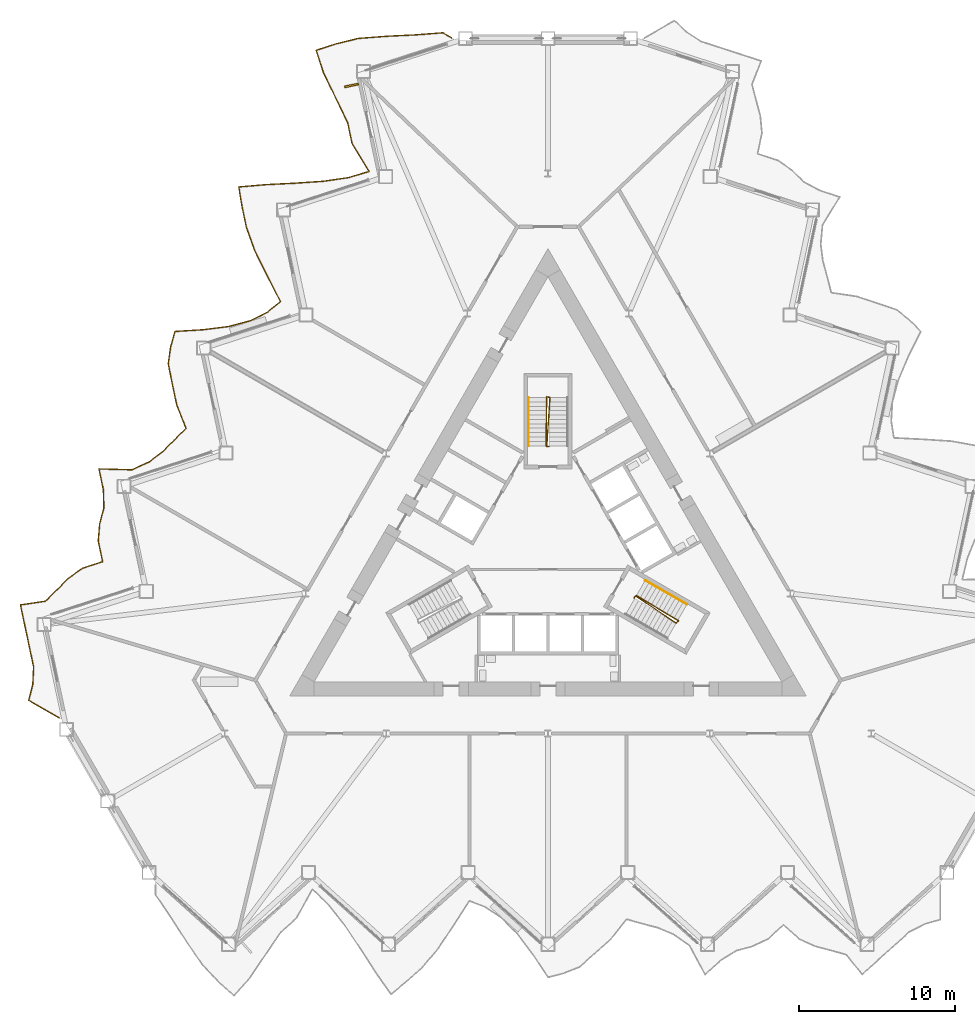
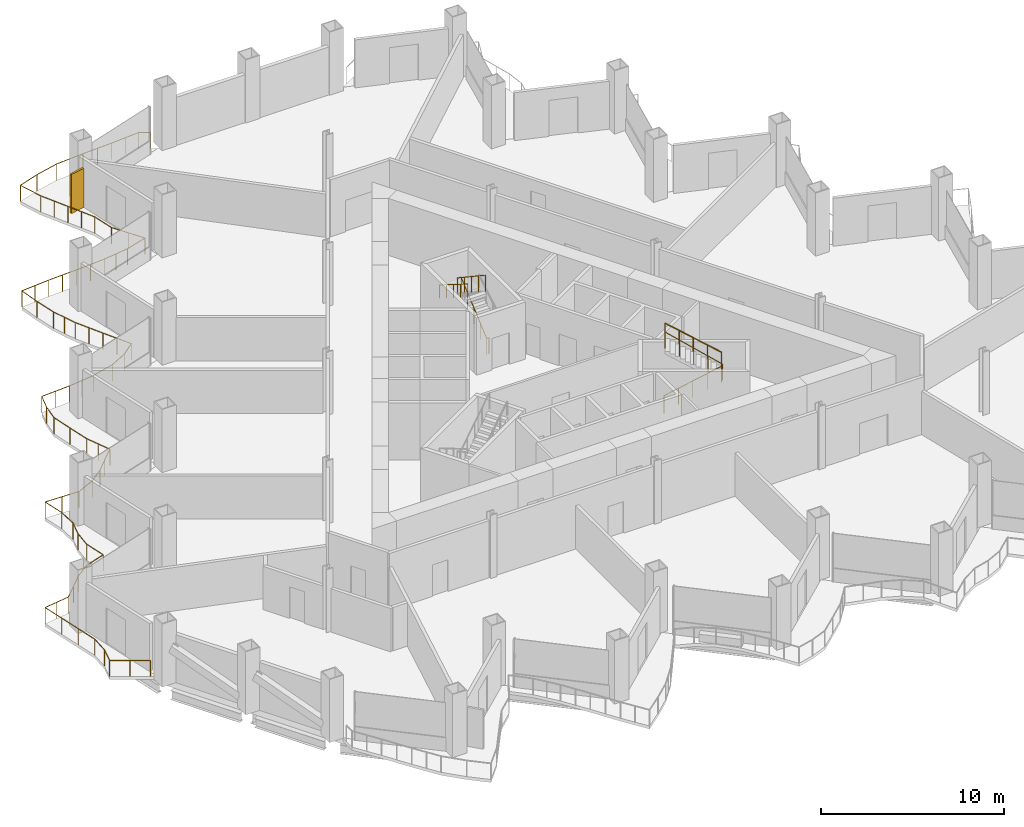
# One storey, part 18 of 21: 5 railings, 1 shading device.
"""IFC4 building model written with IfcOpenShell, lengths in metres."""

from ifc_helpers import new_model, si_unit, direction, frame, origin, origin_2d, place, context, subcontext, project, spatial, rectangle, circle, extrude, material, layer, layer_set, type_object, element, save


model = new_model("IFC4")

# Units and contexts
model_context = context("Model", 3, precision=1e-05, world=origin(), true_north=direction((0.0, 1.0)))
body_context = subcontext(model_context, "Body", "Model", "MODEL_VIEW")
ifc_project = project(units=[si_unit("LENGTHUNIT", "METRE"), si_unit("AREAUNIT", "SQUARE_METRE"), si_unit("VOLUMEUNIT", "CUBIC_METRE"), si_unit("PLANEANGLEUNIT", "RADIAN"), si_unit("MASSUNIT", "GRAM", prefix="KILO")], contexts=[model_context])

# Site, building, storey
site_placement = place(None, origin())
site = spatial("IfcSite", under=ifc_project, at=site_placement, CompositionType="ELEMENT")
building_placement = place(site_placement, origin())
building = spatial("IfcBuilding", under=site, at=building_placement, Name="Cormorant Prow Tower", CompositionType="ELEMENT")
storey_placement = place(building_placement, frame((0.0, 0.0, 112.199951171875)))
storey = spatial("IfcBuildingStorey", under=building, at=storey_placement, Name="L23", CompositionType="ELEMENT", Elevation=112.199951171875)

# Railings
ifc_material_1 = material(Name="Aluminium 6063-T6", Category="aluminium")
railing_type_1 = type_object("IfcRailingType", Name="Balcony guard 1100", PredefinedType="GUARDRAIL", material=ifc_material_1)
railing_1_placement = place(storey_placement, frame((-6.165771484375, 32.531494140625, 0.0)))
element("IfcRailing", 1, at=railing_1_placement, inside=storey, type_object=railing_type_1, Name="Balcony guard WNW", PredefinedType="GUARDRAIL", context=body_context, shape_type="SweptSolid", body=[
    extrude(circle(Radius=0.02392578125, at=origin_2d()), frame((0.0, 0.0, 1.076171875), z_axis=(-0.866038622153, 0.499977104415, 0.0), x_axis=(-0.499977104415, -0.866038622153, 0.0)), (0.0, 0.0, 1.0), 0.63623046875),
    extrude(circle(Radius=0.02392578125, at=origin_2d()), frame((-0.551025390625, 0.318115234375, 1.076171875), z_axis=(-0.997197009902, -0.074820608411, 0.0), x_axis=(0.074820608411, -0.997197009902, 0.0)), (0.0, 0.0, 1.0), 1.781494140625),
    extrude(circle(Radius=0.02392578125, at=origin_2d()), frame((-2.32763671875, 0.184814453125, 1.076171875), z_axis=(-0.998831498612, -0.048328432431, 0.0), x_axis=(0.048328432431, -0.998831498612, 0.0)), (0.0, 0.0, 1.0), 1.85400390625),
    extrude(circle(Radius=0.02392578125, at=origin_2d()), frame((-4.179443359375, 0.09521484375, 1.076171875), z_axis=(-0.99704396545, -0.076833137122, 0.0), x_axis=(0.076833137122, -0.99704396545, 0.0)), (0.0, 0.0, 1.0), 1.7763671875),
    extrude(circle(Radius=0.02392578125, at=origin_2d()), frame((-5.950439453125, -0.041259765625, 1.076171875), z_axis=(-0.971769655853, -0.235931634089, 0.0), x_axis=(0.235931634089, -0.971769655853, 0.0)), (0.0, 0.0, 1.0), 1.453857421875),
    extrude(circle(Radius=0.02392578125, at=origin_2d()), frame((-7.36328125, -0.38427734375, 1.076171875), z_axis=(-0.951024769283, -0.309114684561, 0.0), x_axis=(0.309114684561, -0.951024769283, 0.0)), (0.0, 0.0, 1.0), 1.3505859375),
    extrude(circle(Radius=0.02392578125, at=origin_2d()), frame((-8.647705078125, -0.8017578125, 1.076171875), z_axis=(0.3055170422, -0.952186608247, 0.0), x_axis=(0.952186608247, 0.3055170422, 0.0)), (0.0, 0.0, 1.0), 1.493408203125),
    extrude(circle(Radius=0.02392578125, at=origin_2d()), frame((-8.19140625, -2.223876953125, 1.076171875), z_axis=(0.437543121235, -0.899197429412, 0.0), x_axis=(0.899197429412, 0.437543121235, 0.0)), (0.0, 0.0, 1.0), 1.792236328125),
    extrude(circle(Radius=0.02392578125, at=origin_2d()), frame((-7.4072265625, -3.83544921875, 1.076171875), z_axis=(0.433168019328, -0.901313190312, 0.0), x_axis=(0.901313190312, 0.433168019328, 0.0)), (0.0, 0.0, 1.0), 1.77978515625),
    extrude(circle(Radius=0.02392578125, at=origin_2d()), frame((-6.63623046875, -5.439697265625, 1.076171875), z_axis=(0.208096604051, -0.978108277944, 0.0), x_axis=(0.978108277944, 0.208096604051, 0.0)), (0.0, 0.0, 1.0), 1.350341796875),
    extrude(circle(Radius=0.02392578125, at=origin_2d()), frame((-6.355224609375, -6.760498046875, 1.076171875), z_axis=(0.518892663885, -0.85483940209, 0.0), x_axis=(0.85483940209, 0.518892663885, 0.0)), (0.0, 0.0, 1.0), 2.087158203125),
    extrude(circle(Radius=0.02392578125, at=origin_2d()), frame((-5.272216796875, -8.544677734375, 1.076171875), z_axis=(-0.958431950317, -0.285321216546, 0.0), x_axis=(0.285321216546, -0.958431950317, 0.0)), (0.0, 0.0, 1.0), 1.3818359375),
    extrude(circle(Radius=0.02392578125, at=origin_2d()), frame((-6.5966796875, -8.93896484375, 1.076171875), z_axis=(-0.989725517262, -0.142980419921, 0.0), x_axis=(0.142980419921, -0.989725517262, 0.0)), (0.0, 0.0, 1.0), 1.6220703125),
    extrude(circle(Radius=0.02392578125, at=origin_2d()), frame((-8.2021484375, -9.1708984375, 1.076171875), z_axis=(-0.997739361196, -0.067202433888, 0.0), x_axis=(0.067202433888, -0.997739361196, 0.0)), (0.0, 0.0, 1.0), 1.802001953125),
    extrude(circle(Radius=0.02392578125, at=origin_2d()), frame((-10.0, -9.2919921875, 1.076171875), z_axis=(-0.998796334146, -0.049049800172, 0.0), x_axis=(0.049049800172, -0.998796334146, 0.0)), (0.0, 0.0, 1.0), 1.8515625),
    extrude(circle(Radius=0.02392578125, at=origin_2d()), frame((-11.849365234375, -9.3828125, 1.076171875), z_axis=(-0.996274491947, -0.0862388352, 0.0), x_axis=(0.0862388352, -0.996274491947, 0.0)), (0.0, 0.0, 1.0), 1.75244140625),
    extrude(circle(Radius=0.02392578125, at=origin_2d()), frame((-13.59521484375, -9.533935546875, 1.076171875), z_axis=(0.162018353955, -0.986787744645, 0.0), x_axis=(0.986787744645, 0.162018353955, 0.0)), (0.0, 0.0, 1.0), 1.29736328125),
    extrude(circle(Radius=0.02392578125, at=origin_2d()), frame((-13.385009765625, -10.814208984375, 1.076171875), z_axis=(0.207923627178, -0.978145063506, 0.0), x_axis=(0.978145063506, 0.207923627178, 0.0)), (0.0, 0.0, 1.0), 1.350341796875),
    extrude(circle(Radius=0.02392578125, at=origin_2d()), frame((-13.104248046875, -12.135009765625, 1.076171875), z_axis=(0.337063995154, -0.941481738097, 0.0), x_axis=(0.941481738097, 0.337063995154, 0.0)), (0.0, 0.0, 1.0), 1.551513671875),
    extrude(circle(Radius=0.02392578125, at=origin_2d()), frame((-12.581298828125, -13.595703125, 1.076171875), z_axis=(0.44375940405, -0.896145965408, 0.0), x_axis=(0.896145965408, 0.44375940405, 0.0)), (0.0, 0.0, 1.0), 1.81103515625),
    extrude(circle(Radius=0.02392578125, at=origin_2d()), frame((-11.777587890625, -15.21875, 1.076171875), z_axis=(0.456011061651, -0.889974107293, 0.0), x_axis=(0.889974107293, 0.456011061651, 0.0)), (0.0, 0.0, 1.0), 1.84912109375),
    extrude(circle(Radius=0.02392578125, at=origin_2d()), frame((-10.934326171875, -16.864501953125, 1.076171875), z_axis=(-0.778026512451, -0.628231442959, 0.0), x_axis=(0.628231442959, -0.778026512451, 0.0)), (0.0, 0.0, 1.0), 1.07568359375),
    extrude(circle(Radius=0.02392578125, at=origin_2d()), frame((-11.771240234375, -17.540283203125, 1.076171875), z_axis=(-0.894061222795, -0.447944784427, 0.0), x_axis=(0.447944784427, -0.894061222795, 0.0)), (0.0, 0.0, 1.0), 1.20166015625),
    extrude(circle(Radius=0.02392578125, at=origin_2d()), frame((-12.845703125, -18.07861328125, 1.076171875), z_axis=(-0.965785035107, -0.259343914452, 0.0), x_axis=(0.259343914452, -0.965785035107, 0.0)), (0.0, 0.0, 1.0), 1.418701171875),
    extrude(circle(Radius=0.02392578125, at=origin_2d()), frame((-14.2158203125, -18.446533203125, 1.076171875), z_axis=(-0.991847762911, -0.127428470952, 0.0), x_axis=(0.127428470952, -0.991847762911, 0.0)), (0.0, 0.0, 1.0), 1.6552734375),
    extrude(circle(Radius=0.02392578125, at=origin_2d()), frame((-15.857666015625, -18.657470703125, 1.076171875), z_axis=(-0.998158167324, -0.060665253682, 0.0), x_axis=(0.060665253682, -0.998158167324, 0.0)), (0.0, 0.0, 1.0), 1.819091796875),
    extrude(circle(Radius=0.02392578125, at=origin_2d()), frame((-17.67333984375, -18.767822265625, 1.076171875), z_axis=(-0.268554992367, -0.963264354201, 0.0), x_axis=(0.963264354201, -0.268554992367, 0.0)), (0.0, 0.0, 1.0), 1.036376953125),
    extrude(circle(Radius=0.02392578125, at=origin_2d()), frame((-17.95166015625, -19.76611328125, 1.076171875), z_axis=(-0.141073741819, -0.98999909059, 0.0), x_axis=(0.98999909059, -0.141073741819, 0.0)), (0.0, 0.0, 1.0), 1.08154296875),
    extrude(circle(Radius=0.02392578125, at=origin_2d()), frame((-18.104248046875, -20.8369140625, 1.076171875), z_axis=(0.196677999947, -0.980468135299, 0.0), x_axis=(0.980468135299, 0.196677999947, 0.0)), (0.0, 0.0, 1.0), 1.3369140625),
    extrude(circle(Radius=0.02392578125, at=origin_2d()), frame((-17.84130859375, -22.147705078125, 1.076171875), z_axis=(0.207923627178, -0.978145063506, 0.0), x_axis=(0.978145063506, 0.207923627178, 0.0)), (0.0, 0.0, 1.0), 1.350341796875),
    extrude(circle(Radius=0.02392578125, at=origin_2d()), frame((-17.560546875, -23.468505859375, 1.076171875), z_axis=(0.367686255575, -0.929949900511, 0.0), x_axis=(0.929949900511, 0.367686255575, 0.0)), (0.0, 0.0, 1.0), 1.61474609375),
    extrude(circle(Radius=0.02392578125, at=origin_2d()), frame((-16.966796875, -24.97021484375, 1.076171875), z_axis=(-0.715141961491, -0.698979237828, 0.0), x_axis=(0.698979237828, -0.715141961491, 0.0)), (0.0, 0.0, 1.0), 1.042236328125),
    extrude(circle(Radius=0.02392578125, at=origin_2d()), frame((-17.712158203125, -25.69873046875, 1.076171875), z_axis=(-0.703331850344, -0.710861666072, 0.0), x_axis=(0.710861666072, -0.703331850344, 0.0)), (0.0, 0.0, 1.0), 1.03759765625),
    extrude(circle(Radius=0.02392578125, at=origin_2d()), frame((-18.44189453125, -26.436279296875, 1.076171875), z_axis=(-0.796080060721, -0.605191322577, 0.0), x_axis=(0.605191322577, -0.796080060721, 0.0)), (0.0, 0.0, 1.0), 1.08837890625),
    extrude(circle(Radius=0.02392578125, at=origin_2d()), frame((-19.308349609375, -27.094970703125, 1.076171875), z_axis=(-0.908707369925, -0.417433726289, 0.0), x_axis=(0.417433726289, -0.908707369925, 0.0)), (0.0, 0.0, 1.0), 1.22998046875),
    extrude(circle(Radius=0.02392578125, at=origin_2d()), frame((-20.426025390625, -27.6083984375, 1.076171875), z_axis=(-0.999629367676, 0.027223652961, 0.0), x_axis=(-0.027223652961, -0.999629367676, 0.0)), (0.0, 0.0, 1.0), 2.107421875),
    extrude(circle(Radius=0.02392578125, at=origin_2d()), frame((-22.53271484375, -27.551025390625, 1.076171875), z_axis=(0.208059810937, -0.978116105109, 0.0), x_axis=(0.978116105109, 0.208059810937, 0.0)), (0.0, 0.0, 1.0), 1.3505859375),
    extrude(circle(Radius=0.02392578125, at=origin_2d()), frame((-22.251708984375, -28.8720703125, 1.076171875), z_axis=(0.029192193085, -0.999573817116, 0.0), x_axis=(0.999573817116, 0.029192193085, 0.0)), (0.0, 0.0, 1.0), 1.17919921875),
    extrude(circle(Radius=0.02392578125, at=origin_2d()), frame((-22.21728515625, -30.05078125, 1.076171875), z_axis=(-0.258422924917, -0.966031879328, 0.0), x_axis=(0.966031879328, -0.258422924917, 0.0)), (0.0, 0.0, 1.0), 1.039306640625),
    extrude(circle(Radius=0.02392578125, at=origin_2d()), frame((-22.48583984375, -31.0546875, 1.076171875), z_axis=(-0.083646627438, -0.996495480029, 0.0), x_axis=(0.996495480029, -0.083646627438, 0.0)), (0.0, 0.0, 1.0), 1.109130859375),
    extrude(circle(Radius=0.02392578125, at=origin_2d()), frame((-22.57861328125, -32.159912109375, 1.076171875), z_axis=(0.207886861883, -0.978152877957, 0.0), x_axis=(0.978152877957, 0.207886861883, 0.0)), (0.0, 0.0, 1.0), 1.3505859375),
    extrude(circle(Radius=0.02392578125, at=origin_2d()), frame((-22.2978515625, -33.48095703125, 1.076171875), z_axis=(-0.951077899841, -0.308951174839, 0.0), x_axis=(0.308951174839, -0.951077899841, 0.0)), (0.0, 0.0, 1.0), 1.3505859375),
    extrude(circle(Radius=0.02392578125, at=origin_2d()), frame((-23.582275390625, -33.898193359375, 1.076171875), z_axis=(-0.813119408245, -0.582096923146, 0.0), x_axis=(0.582096923146, -0.813119408245, 0.0)), (0.0, 0.0, 1.0), 1.102294921875),
    extrude(circle(Radius=0.02392578125, at=origin_2d()), frame((-24.478515625, -34.539794921875, 1.076171875), z_axis=(-0.705812471331, -0.708398726223, 0.0), x_axis=(0.708398726223, -0.705812471331, 0.0)), (0.0, 0.0, 1.0), 1.038330078125),
    extrude(circle(Radius=0.02392578125, at=origin_2d()), frame((-25.21142578125, -35.275390625, 1.076171875), z_axis=(-0.71201463204, -0.702164627249, 0.0), x_axis=(0.702164627249, -0.71201463204, 0.0)), (0.0, 0.0, 1.0), 1.041015625),
    extrude(circle(Radius=0.02392578125, at=origin_2d()), frame((-25.95263671875, -36.00634765625, 1.076171875), z_axis=(-0.989239139554, -0.146307637447, 0.0), x_axis=(0.146307637447, -0.989239139554, 0.0)), (0.0, 0.0, 1.0), 1.615234375),
    extrude(circle(Radius=0.02392578125, at=origin_2d()), frame((-27.550537109375, -36.24267578125, 1.076171875), z_axis=(0.207923627178, -0.978145063506, 0.0), x_axis=(0.978145063506, 0.207923627178, 0.0)), (0.0, 0.0, 1.0), 1.350341796875),
    extrude(circle(Radius=0.02392578125, at=origin_2d()), frame((-27.269775390625, -37.5634765625, 1.076171875), z_axis=(0.207886861883, -0.978152877957, 0.0), x_axis=(0.978152877957, 0.207886861883, 0.0)), (0.0, 0.0, 1.0), 1.3505859375),
    extrude(circle(Radius=0.02392578125, at=origin_2d()), frame((-26.989013671875, -38.884521484375, 1.076171875), z_axis=(0.207886861883, -0.978152877957, 0.0), x_axis=(0.978152877957, 0.207886861883, 0.0)), (0.0, 0.0, 1.0), 1.3505859375),
    extrude(circle(Radius=0.02392578125, at=origin_2d()), frame((-26.708251953125, -40.20556640625, 1.076171875), z_axis=(-0.046897714025, -0.998899696876, 0.0), x_axis=(0.998899696876, -0.046897714025, 0.0)), (0.0, 0.0, 1.0), 1.129638671875),
    extrude(circle(Radius=0.02392578125, at=origin_2d()), frame((-26.76123046875, -41.333984375, 1.076171875), z_axis=(-0.244848201654, -0.96956142567, 0.0), x_axis=(0.96956142567, -0.244848201654, 0.0)), (0.0, 0.0, 1.0), 1.04296875),
    extrude(circle(Radius=0.02392578125, at=origin_2d()), frame((-27.0166015625, -42.34521484375, 1.076171875), z_axis=(0.866019272134, -0.50001062018, 0.0), x_axis=(0.50001062018, 0.866019272134, 0.0)), (0.0, 0.0, 1.0), 2.224609375),
    extrude(circle(Radius=0.02099609375, at=origin_2d()), origin(), (0.0, 0.0, 1.0), 1.052001953125),
    extrude(circle(Radius=0.02099609375, at=origin_2d()), frame((-0.551025390625, 0.318115234375, 0.0)), (0.0, 0.0, 1.0), 1.052001953125),
    extrude(circle(Radius=0.02099609375, at=origin_2d()), frame((-1.439453125, 0.25146484375, 0.0)), (0.0, 0.0, 1.0), 1.052001953125),
    extrude(circle(Radius=0.02099609375, at=origin_2d()), frame((-2.32763671875, 0.184814453125, 0.0)), (0.0, 0.0, 1.0), 1.052001953125),
    extrude(circle(Radius=0.02099609375, at=origin_2d()), frame((-3.25341796875, 0.14013671875, 0.0)), (0.0, 0.0, 1.0), 1.052001953125),
    extrude(circle(Radius=0.02099609375, at=origin_2d()), frame((-4.179443359375, 0.09521484375, 0.0)), (0.0, 0.0, 1.0), 1.052001953125),
    extrude(circle(Radius=0.02099609375, at=origin_2d()), frame((-5.06494140625, 0.02685546875, 0.0)), (0.0, 0.0, 1.0), 1.052001953125),
    extrude(circle(Radius=0.02099609375, at=origin_2d()), frame((-5.950439453125, -0.041259765625, 0.0)), (0.0, 0.0, 1.0), 1.052001953125),
    extrude(circle(Radius=0.02099609375, at=origin_2d()), frame((-7.36328125, -0.38427734375, 0.0)), (0.0, 0.0, 1.0), 1.052001953125),
    extrude(circle(Radius=0.02099609375, at=origin_2d()), frame((-8.647705078125, -0.8017578125, 0.0)), (0.0, 0.0, 1.0), 1.052001953125),
    extrude(circle(Radius=0.02099609375, at=origin_2d()), frame((-8.19140625, -2.223876953125, 0.0)), (0.0, 0.0, 1.0), 1.052001953125),
    extrude(circle(Radius=0.02099609375, at=origin_2d()), frame((-7.79931640625, -3.02978515625, 0.0)), (0.0, 0.0, 1.0), 1.052001953125),
    extrude(circle(Radius=0.02099609375, at=origin_2d()), frame((-7.4072265625, -3.83544921875, 0.0)), (0.0, 0.0, 1.0), 1.052001953125),
    extrude(circle(Radius=0.02099609375, at=origin_2d()), frame((-7.021728515625, -4.6376953125, 0.0)), (0.0, 0.0, 1.0), 1.052001953125),
    extrude(circle(Radius=0.02099609375, at=origin_2d()), frame((-6.63623046875, -5.439697265625, 0.0)), (0.0, 0.0, 1.0), 1.052001953125),
    extrude(circle(Radius=0.02099609375, at=origin_2d()), frame((-6.355224609375, -6.760498046875, 0.0)), (0.0, 0.0, 1.0), 1.052001953125),
    extrude(circle(Radius=0.02099609375, at=origin_2d()), frame((-5.813720703125, -7.652587890625, 0.0)), (0.0, 0.0, 1.0), 1.052001953125),
    extrude(circle(Radius=0.02099609375, at=origin_2d()), frame((-5.272216796875, -8.544677734375, 0.0)), (0.0, 0.0, 1.0), 1.052001953125),
    extrude(circle(Radius=0.02099609375, at=origin_2d()), frame((-6.5966796875, -8.93896484375, 0.0)), (0.0, 0.0, 1.0), 1.052001953125),
    extrude(circle(Radius=0.02099609375, at=origin_2d()), frame((-7.3994140625, -9.054931640625, 0.0)), (0.0, 0.0, 1.0), 1.052001953125),
    extrude(circle(Radius=0.02099609375, at=origin_2d()), frame((-8.2021484375, -9.1708984375, 0.0)), (0.0, 0.0, 1.0), 1.052001953125),
    extrude(circle(Radius=0.02099609375, at=origin_2d()), frame((-9.10107421875, -9.2314453125, 0.0)), (0.0, 0.0, 1.0), 1.052001953125),
    extrude(circle(Radius=0.02099609375, at=origin_2d()), frame((-10.0, -9.2919921875, 0.0)), (0.0, 0.0, 1.0), 1.052001953125),
    extrude(circle(Radius=0.02099609375, at=origin_2d()), frame((-10.9248046875, -9.33740234375, 0.0)), (0.0, 0.0, 1.0), 1.052001953125),
    extrude(circle(Radius=0.02099609375, at=origin_2d()), frame((-11.849365234375, -9.3828125, 0.0)), (0.0, 0.0, 1.0), 1.052001953125),
    extrude(circle(Radius=0.02099609375, at=origin_2d()), frame((-12.72216796875, -9.45849609375, 0.0)), (0.0, 0.0, 1.0), 1.052001953125),
    extrude(circle(Radius=0.02099609375, at=origin_2d()), frame((-13.59521484375, -9.533935546875, 0.0)), (0.0, 0.0, 1.0), 1.052001953125),
    extrude(circle(Radius=0.02099609375, at=origin_2d()), frame((-13.385009765625, -10.814208984375, 0.0)), (0.0, 0.0, 1.0), 1.052001953125),
    extrude(circle(Radius=0.02099609375, at=origin_2d()), frame((-13.104248046875, -12.135009765625, 0.0)), (0.0, 0.0, 1.0), 1.052001953125),
    extrude(circle(Radius=0.02099609375, at=origin_2d()), frame((-12.8427734375, -12.865234375, 0.0)), (0.0, 0.0, 1.0), 1.052001953125),
    extrude(circle(Radius=0.02099609375, at=origin_2d()), frame((-12.581298828125, -13.595703125, 0.0)), (0.0, 0.0, 1.0), 1.052001953125),
    extrude(circle(Radius=0.02099609375, at=origin_2d()), frame((-12.179443359375, -14.4072265625, 0.0)), (0.0, 0.0, 1.0), 1.052001953125),
    extrude(circle(Radius=0.02099609375, at=origin_2d()), frame((-11.777587890625, -15.21875, 0.0)), (0.0, 0.0, 1.0), 1.052001953125),
    extrude(circle(Radius=0.02099609375, at=origin_2d()), frame((-11.35595703125, -16.04150390625, 0.0)), (0.0, 0.0, 1.0), 1.052001953125),
    extrude(circle(Radius=0.02099609375, at=origin_2d()), frame((-10.934326171875, -16.864501953125, 0.0)), (0.0, 0.0, 1.0), 1.052001953125),
    extrude(circle(Radius=0.02099609375, at=origin_2d()), frame((-11.771240234375, -17.540283203125, 0.0)), (0.0, 0.0, 1.0), 1.052001953125),
    extrude(circle(Radius=0.02099609375, at=origin_2d()), frame((-12.845703125, -18.07861328125, 0.0)), (0.0, 0.0, 1.0), 1.052001953125),
    extrude(circle(Radius=0.02099609375, at=origin_2d()), frame((-14.2158203125, -18.446533203125, 0.0)), (0.0, 0.0, 1.0), 1.052001953125),
    extrude(circle(Radius=0.02099609375, at=origin_2d()), frame((-15.03662109375, -18.552001953125, 0.0)), (0.0, 0.0, 1.0), 1.052001953125),
    extrude(circle(Radius=0.02099609375, at=origin_2d()), frame((-15.857666015625, -18.657470703125, 0.0)), (0.0, 0.0, 1.0), 1.052001953125),
    extrude(circle(Radius=0.02099609375, at=origin_2d()), frame((-16.765625, -18.712646484375, 0.0)), (0.0, 0.0, 1.0), 1.052001953125),
    extrude(circle(Radius=0.02099609375, at=origin_2d()), frame((-17.67333984375, -18.767822265625, 0.0)), (0.0, 0.0, 1.0), 1.052001953125),
    extrude(circle(Radius=0.02099609375, at=origin_2d()), frame((-17.95166015625, -19.76611328125, 0.0)), (0.0, 0.0, 1.0), 1.052001953125),
    extrude(circle(Radius=0.02099609375, at=origin_2d()), frame((-18.104248046875, -20.8369140625, 0.0)), (0.0, 0.0, 1.0), 1.052001953125),
    extrude(circle(Radius=0.02099609375, at=origin_2d()), frame((-17.84130859375, -22.147705078125, 0.0)), (0.0, 0.0, 1.0), 1.052001953125),
    extrude(circle(Radius=0.02099609375, at=origin_2d()), frame((-17.560546875, -23.468505859375, 0.0)), (0.0, 0.0, 1.0), 1.052001953125),
    extrude(circle(Radius=0.02099609375, at=origin_2d()), frame((-17.263671875, -24.21923828125, 0.0)), (0.0, 0.0, 1.0), 1.052001953125),
    extrude(circle(Radius=0.02099609375, at=origin_2d()), frame((-16.966796875, -24.97021484375, 0.0)), (0.0, 0.0, 1.0), 1.052001953125),
    extrude(circle(Radius=0.02099609375, at=origin_2d()), frame((-17.712158203125, -25.69873046875, 0.0)), (0.0, 0.0, 1.0), 1.052001953125),
    extrude(circle(Radius=0.02099609375, at=origin_2d()), frame((-18.44189453125, -26.436279296875, 0.0)), (0.0, 0.0, 1.0), 1.052001953125),
    extrude(circle(Radius=0.02099609375, at=origin_2d()), frame((-19.308349609375, -27.094970703125, 0.0)), (0.0, 0.0, 1.0), 1.052001953125),
    extrude(circle(Radius=0.02099609375, at=origin_2d()), frame((-20.426025390625, -27.6083984375, 0.0)), (0.0, 0.0, 1.0), 1.052001953125),
    extrude(circle(Radius=0.02099609375, at=origin_2d()), frame((-21.4794921875, -27.57958984375, 0.0)), (0.0, 0.0, 1.0), 1.052001953125),
    extrude(circle(Radius=0.02099609375, at=origin_2d()), frame((-22.53271484375, -27.551025390625, 0.0)), (0.0, 0.0, 1.0), 1.052001953125),
    extrude(circle(Radius=0.02099609375, at=origin_2d()), frame((-22.251708984375, -28.8720703125, 0.0)), (0.0, 0.0, 1.0), 1.052001953125),
    extrude(circle(Radius=0.02099609375, at=origin_2d()), frame((-22.21728515625, -30.05078125, 0.0)), (0.0, 0.0, 1.0), 1.052001953125),
    extrude(circle(Radius=0.02099609375, at=origin_2d()), frame((-22.48583984375, -31.0546875, 0.0)), (0.0, 0.0, 1.0), 1.052001953125),
    extrude(circle(Radius=0.02099609375, at=origin_2d()), frame((-22.57861328125, -32.159912109375, 0.0)), (0.0, 0.0, 1.0), 1.052001953125),
    extrude(circle(Radius=0.02099609375, at=origin_2d()), frame((-22.2978515625, -33.48095703125, 0.0)), (0.0, 0.0, 1.0), 1.052001953125),
    extrude(circle(Radius=0.02099609375, at=origin_2d()), frame((-23.582275390625, -33.898193359375, 0.0)), (0.0, 0.0, 1.0), 1.052001953125),
    extrude(circle(Radius=0.02099609375, at=origin_2d()), frame((-24.478515625, -34.539794921875, 0.0)), (0.0, 0.0, 1.0), 1.052001953125),
    extrude(circle(Radius=0.02099609375, at=origin_2d()), frame((-25.21142578125, -35.275390625, 0.0)), (0.0, 0.0, 1.0), 1.052001953125),
    extrude(circle(Radius=0.02099609375, at=origin_2d()), frame((-25.95263671875, -36.00634765625, 0.0)), (0.0, 0.0, 1.0), 1.052001953125),
    extrude(circle(Radius=0.02099609375, at=origin_2d()), frame((-26.75146484375, -36.12451171875, 0.0)), (0.0, 0.0, 1.0), 1.052001953125),
    extrude(circle(Radius=0.02099609375, at=origin_2d()), frame((-27.550537109375, -36.24267578125, 0.0)), (0.0, 0.0, 1.0), 1.052001953125),
    extrude(circle(Radius=0.02099609375, at=origin_2d()), frame((-27.269775390625, -37.5634765625, 0.0)), (0.0, 0.0, 1.0), 1.052001953125),
    extrude(circle(Radius=0.02099609375, at=origin_2d()), frame((-26.989013671875, -38.884521484375, 0.0)), (0.0, 0.0, 1.0), 1.052001953125),
    extrude(circle(Radius=0.02099609375, at=origin_2d()), frame((-26.708251953125, -40.20556640625, 0.0)), (0.0, 0.0, 1.0), 1.052001953125),
    extrude(circle(Radius=0.02099609375, at=origin_2d()), frame((-26.76123046875, -41.333984375, 0.0)), (0.0, 0.0, 1.0), 1.052001953125),
    extrude(circle(Radius=0.02099609375, at=origin_2d()), frame((-27.0166015625, -42.34521484375, 0.0)), (0.0, 0.0, 1.0), 1.052001953125),
    extrude(circle(Radius=0.02099609375, at=origin_2d()), frame((-26.05322265625, -42.9013671875, 0.0)), (0.0, 0.0, 1.0), 1.052001953125),
    extrude(circle(Radius=0.02099609375, at=origin_2d()), frame((-25.090087890625, -43.45751953125, 0.0)), (0.0, 0.0, 1.0), 1.052001953125),
])
ifc_material_2 = material(Name="Stainless steel", Category="steel")
railing_type_2 = type_object("IfcRailingType", Name="Stair guard 1100", PredefinedType="GUARDRAIL", material=ifc_material_2)
railing_2_placement = place(storey_placement, frame((5.510009765625, -3.267822265625, 0.0)))
element("IfcRailing", 2, at=railing_2_placement, inside=storey, type_object=railing_type_2, Name="L23 ST2 stair guard 1", PredefinedType="GUARDRAIL", context=body_context, shape_type="SweptSolid", body=[
    extrude(circle(Radius=0.02392578125, at=origin_2d()), frame((0.0, 0.0, 1.076171875), z_axis=(0.501036270542, 0.865426285481, 0.0), x_axis=(-0.865426285481, 0.501036270542, 0.0)), (0.0, 0.0, 1.0), 0.150146484375),
    extrude(circle(Radius=0.02392578125, at=origin_2d()), frame((0.0751953125, 0.1298828125, 1.076171875), z_axis=(0.691630634645, -0.46052652377, 0.556383308633), x_axis=(0.554233058506, 0.832361530141, 0.0)), (0.0, 0.0, 1.0), 3.774658203125),
    extrude(circle(Radius=0.02392578125, at=origin_2d()), frame((2.685791015625, -1.6083984375, 3.17626953125), z_axis=(0.695164929852, 0.718850276695, 0.0), x_axis=(-0.718850276695, 0.695164929852, 0.0)), (0.0, 0.0, 1.0), 0.2060546875),
    extrude(circle(Radius=0.02392578125, at=origin_2d()), frame((2.8291015625, -1.460205078125, 3.17626953125), z_axis=(-0.712489022558, 0.426677363931, 0.55705100291), x_axis=(-0.513773053629, -0.857926132814, 0.0)), (0.0, 0.0, 1.0), 3.76953125),
    extrude(circle(Radius=0.02099609375, at=origin_2d()), origin(), (0.0, 0.0, 1.0), 1.052001953125),
    extrude(circle(Radius=0.02099609375, at=origin_2d()), frame((0.0751953125, 0.1298828125, 0.0)), (0.0, 0.0, 1.0), 1.052001953125),
    extrude(circle(Radius=0.02099609375, at=origin_2d()), frame((0.727783203125, -0.3046875, 0.52490234375)), (0.0, 0.0, 1.0), 1.052001953125),
    extrude(circle(Radius=0.02099609375, at=origin_2d()), frame((1.38037109375, -0.7392578125, 1.050048828125)), (0.0, 0.0, 1.0), 1.052001953125),
    extrude(circle(Radius=0.02099609375, at=origin_2d()), frame((2.033203125, -1.173828125, 1.5751953125)), (0.0, 0.0, 1.0), 1.052001953125),
    extrude(circle(Radius=0.02099609375, at=origin_2d()), frame((2.685791015625, -1.6083984375, 2.10009765625)), (0.0, 0.0, 1.0), 1.052001953125),
    extrude(circle(Radius=0.02099609375, at=origin_2d()), frame((2.8291015625, -1.460205078125, 2.10009765625)), (0.0, 0.0, 1.0), 1.052001953125),
    extrude(circle(Radius=0.02099609375, at=origin_2d()), frame((2.15771484375, -1.05810546875, 2.625)), (0.0, 0.0, 1.0), 1.052001953125),
    extrude(circle(Radius=0.02099609375, at=origin_2d()), frame((1.486328125, -0.656005859375, 3.14990234375)), (0.0, 0.0, 1.0), 1.052001953125),
    extrude(circle(Radius=0.02099609375, at=origin_2d()), frame((0.814697265625, -0.25390625, 3.675048828125)), (0.0, 0.0, 1.0), 1.052001953125),
    extrude(circle(Radius=0.02099609375, at=origin_2d()), frame((0.143310546875, 0.148193359375, 4.199951171875)), (0.0, 0.0, 1.0), 1.052001953125),
])
railing_3_placement = place(storey_placement, frame((0.074951171875, 6.40576171875, 0.0)))
element("IfcRailing", 3, at=railing_3_placement, inside=storey, type_object=railing_type_2, Name="L23 ST3 stair guard 1", PredefinedType="GUARDRAIL", context=body_context, shape_type="SweptSolid", body=[
    extrude(circle(Radius=0.02392578125, at=origin_2d()), frame((0.0, 0.0, 1.076171875), z_axis=(-1.0, 0.0, 0.0), x_axis=(0.0, -1.0, 0.0)), (0.0, 0.0, 1.0), 0.14990234375),
    extrude(circle(Radius=0.02392578125, at=origin_2d()), frame((-0.14990234375, 0.0, 1.076171875), z_axis=(0.052971918151, 0.829246596605, 0.556366837532), x_axis=(-0.997965923181, 0.063749636618, 0.0)), (0.0, 0.0, 1.0), 3.774658203125),
    extrude(circle(Radius=0.02392578125, at=origin_2d()), frame((0.050048828125, 3.130126953125, 3.17626953125), z_axis=(-0.970072785993, 0.242814311512, 0.0), x_axis=(-0.242814311512, -0.970072785993, 0.0)), (0.0, 0.0, 1.0), 0.2060546875),
    extrude(circle(Radius=0.02392578125, at=origin_2d()), frame((-0.14990234375, 3.18017578125, 3.17626953125), z_axis=(-0.013277099958, -0.830369261271, 0.557055301162), x_axis=(0.999872194171, -0.015987348866, 0.0)), (0.0, 0.0, 1.0), 3.76953125),
    extrude(circle(Radius=0.02099609375, at=origin_2d()), origin(), (0.0, 0.0, 1.0), 1.052001953125),
    extrude(circle(Radius=0.02099609375, at=origin_2d()), frame((-0.14990234375, 0.0, 0.0)), (0.0, 0.0, 1.0), 1.052001953125),
    extrude(circle(Radius=0.02099609375, at=origin_2d()), frame((-0.099853515625, 0.782470703125, 0.52490234375)), (0.0, 0.0, 1.0), 1.052001953125),
    extrude(circle(Radius=0.02099609375, at=origin_2d()), frame((-0.0498046875, 1.56494140625, 1.050048828125)), (0.0, 0.0, 1.0), 1.052001953125),
    extrude(circle(Radius=0.02099609375, at=origin_2d()), frame((0.0, 2.34765625, 1.5751953125)), (0.0, 0.0, 1.0), 1.052001953125),
    extrude(circle(Radius=0.02099609375, at=origin_2d()), frame((0.050048828125, 3.130126953125, 2.10009765625)), (0.0, 0.0, 1.0), 1.052001953125),
    extrude(circle(Radius=0.02099609375, at=origin_2d()), frame((-0.14990234375, 3.18017578125, 2.10009765625)), (0.0, 0.0, 1.0), 1.052001953125),
    extrude(circle(Radius=0.02099609375, at=origin_2d()), frame((-0.162353515625, 2.397705078125, 2.625)), (0.0, 0.0, 1.0), 1.052001953125),
    extrude(circle(Radius=0.02099609375, at=origin_2d()), frame((-0.1748046875, 1.615234375, 3.14990234375)), (0.0, 0.0, 1.0), 1.052001953125),
    extrude(circle(Radius=0.02099609375, at=origin_2d()), frame((-0.1875, 0.83251953125, 3.675048828125)), (0.0, 0.0, 1.0), 1.052001953125),
    extrude(circle(Radius=0.02099609375, at=origin_2d()), frame((-0.199951171875, 0.050048828125, 4.199951171875)), (0.0, 0.0, 1.0), 1.052001953125),
])
ifc_material_3 = material(Name="Stainless steel", Category="steel")
railing_type_3 = type_object("IfcRailingType", Name="Stair handrail 900", PredefinedType="HANDRAIL", material=ifc_material_3)
railing_4_placement = place(storey_placement, frame((8.88037109375, -3.690673828125, 2.275146484375)))
element("IfcRailing", 4, at=railing_4_placement, inside=storey, type_object=railing_type_3, Name="L23 ST2 stair handrail 2", PredefinedType="HANDRAIL", context=body_context, shape_type="SweptSolid", body=[
    extrude(circle(Radius=0.02392578125, at=origin_2d()), frame((0.0, 0.0, 0.8759765625), z_axis=(-0.734421155904, 0.424009578203, 0.529944755001), x_axis=(-0.499992328818, -0.866029832698, 0.0)), (0.0, 0.0, 1.0), 3.632080078125),
    extrude(circle(Radius=0.02099609375, at=origin_2d()), origin(), (0.0, 0.0, 1.0), 0.851806640625),
    extrude(circle(Radius=0.02099609375, at=origin_2d()), frame((-0.6669921875, 0.385009765625, 0.481201171875)), (0.0, 0.0, 1.0), 0.851806640625),
    extrude(circle(Radius=0.02099609375, at=origin_2d()), frame((-1.333740234375, 0.77001953125, 0.96240234375)), (0.0, 0.0, 1.0), 0.851806640625),
    extrude(circle(Radius=0.02099609375, at=origin_2d()), frame((-2.00048828125, 1.155029296875, 1.443603515625)), (0.0, 0.0, 1.0), 0.851806640625),
    extrude(circle(Radius=0.02099609375, at=origin_2d()), frame((-2.66748046875, 1.5400390625, 1.9248046875)), (0.0, 0.0, 1.0), 0.851806640625),
])
railing_5_placement = place(storey_placement, frame((-1.243896484375, 9.535888671875, 2.275146484375)))
element("IfcRailing", 5, at=railing_5_placement, inside=storey, type_object=railing_type_3, Name="L23 ST3 stair handrail 2", PredefinedType="HANDRAIL", context=body_context, shape_type="SweptSolid", body=[
    extrude(circle(Radius=0.02392578125, at=origin_2d()), frame((0.0, 0.0, 0.8759765625), z_axis=(0.0, -0.848028513186, 0.529950602248), x_axis=(1.0, 0.0, 0.0)), (0.0, 0.0, 1.0), 3.632080078125),
    extrude(circle(Radius=0.02099609375, at=origin_2d()), origin(), (0.0, 0.0, 1.0), 0.851806640625),
    extrude(circle(Radius=0.02099609375, at=origin_2d()), frame((0.0, -0.77001953125, 0.481201171875)), (0.0, 0.0, 1.0), 0.851806640625),
    extrude(circle(Radius=0.02099609375, at=origin_2d()), frame((0.0, -1.5400390625, 0.96240234375)), (0.0, 0.0, 1.0), 0.851806640625),
    extrude(circle(Radius=0.02099609375, at=origin_2d()), frame((0.0, -2.31005859375, 1.443603515625)), (0.0, 0.0, 1.0), 0.851806640625),
    extrude(circle(Radius=0.02099609375, at=origin_2d()), frame((0.0, -3.080078125, 1.9248046875)), (0.0, 0.0, 1.0), 0.851806640625),
])

# Shading device
ifc_material_4 = material(Name="Terracotta", Category="masonry")
ifc_layer = layer(ifc_material_4, 0.1201171875)
ifc_layer_set = layer_set([ifc_layer], Name="Terracotta")
shading_device_type = type_object("IfcShadingDeviceType", Name="Terracotta baguette fin 120x900x2600", PredefinedType="USERDEFINED", material=ifc_layer_set)
shading_device_placement = place(storey_placement, frame((-12.55419921875, 29.48046875, 0.0), z_axis=(0.0, 0.0, 1.0), x_axis=(0.207911647216, -0.978147610002, 0.0)))
element("IfcShadingDevice", 6, at=shading_device_placement, inside=storey, type_object=shading_device_type, Name="Baguette fin WNW01", ObjectType="BAGUETTE", PredefinedType="USERDEFINED", context=body_context, shape_type="SweptSolid", body=[
    extrude(rectangle(XDim=0.1201171875, YDim=0.89990234375, at=origin_2d()), origin(), (0.0, 0.0, 1.0), 2.60009765625),
])

save(model, "model.ifc")
